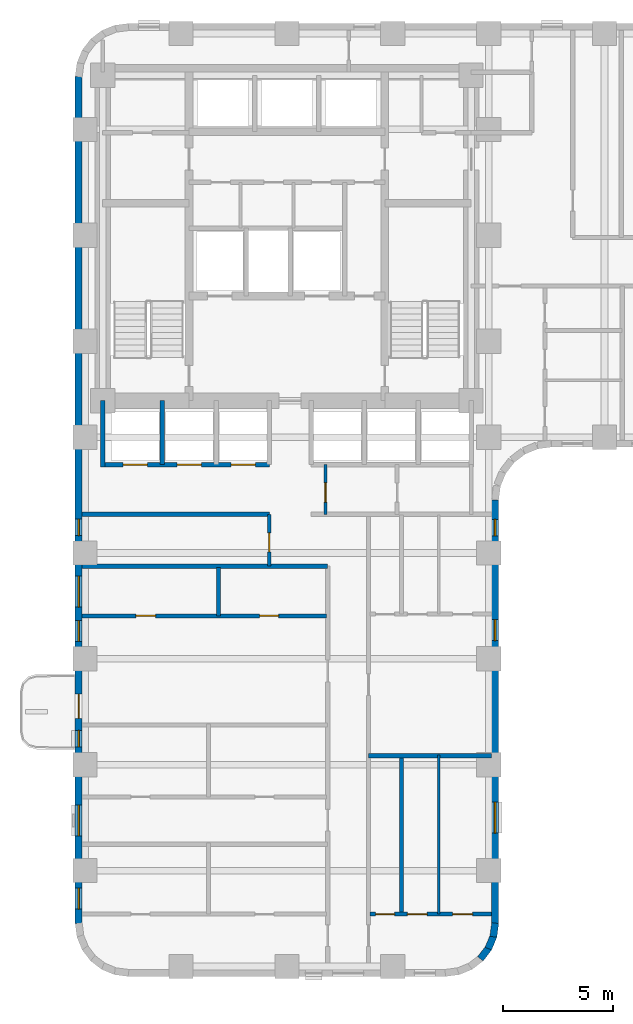
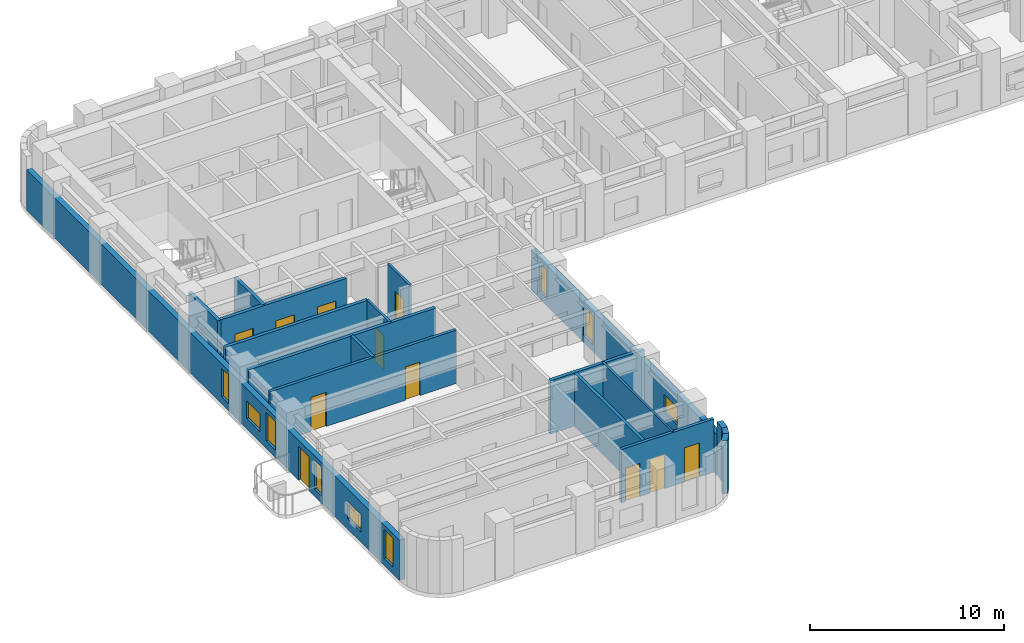
# One storey, part 3 of 11: 18 walls, 11 doors, 9 windows, 20 openings.
"""IFC4 building model written with IfcOpenShell, lengths in metres."""

from ifc_helpers import new_model, si_unit, direction, frame, frame_2d, origin, place, context, subcontext, project, spatial, rectangle, extrude, material, layer, layer_set, type_object, element, fill, save


model = new_model("IFC4")

# Units and contexts
model_context = context("Model", 3, precision=1e-05, world=origin(), true_north=direction((0.0, 1.0)))
body_context = subcontext(model_context, "Body", "Model", "MODEL_VIEW")
ifc_project = project(units=[si_unit("LENGTHUNIT", "METRE"), si_unit("AREAUNIT", "SQUARE_METRE"), si_unit("VOLUMEUNIT", "CUBIC_METRE"), si_unit("PLANEANGLEUNIT", "RADIAN"), si_unit("MASSUNIT", "GRAM", prefix="KILO")], contexts=[model_context])

# Site, building, storey
site_placement = place(None, origin())
site = spatial("IfcSite", under=ifc_project, at=site_placement, CompositionType="ELEMENT")
building_placement = place(site_placement, origin())
building = spatial("IfcBuilding", under=site, at=building_placement, Name="Orvandelia Arch Residences", CompositionType="ELEMENT")
storey_placement = place(building_placement, frame((0.0, 0.0, 53.800048828125)))
storey = spatial("IfcBuildingStorey", under=building, at=storey_placement, Name="L13", CompositionType="ELEMENT", Elevation=53.800048828125)

# Walls
ifc_material_1 = material(Name="Fire-Rated Corridor Partition")
ifc_layer_1 = layer(ifc_material_1, 0.199951171875, Name="Fire-Rated Corridor Partition")
ifc_layer_set_1 = layer_set([ifc_layer_1], Name="Fire-Rated Corridor Partition")
wall_type_1 = type_object("IfcWallType", Name="WL-CORR-200", PredefinedType="PARTITIONING", material=ifc_layer_set_1)
wall_1_placement = place(storey_placement, frame((5.1201171875, 23.39990234375, 0.0), z_axis=(0.0, 0.0, 1.0), x_axis=(1.0, 0.0, 0.0)))
element("IfcWall", 1, at=wall_1_placement, inside=storey, type_object=wall_type_1, Name="Interior Partition Wall WL-L13-WLNK-S", PredefinedType="PARTITIONING", context=body_context, shape_type="SweptSolid", body=[
    extrude(rectangle(XDim=11.1298828125, YDim=0.199951171875, at=frame_2d((5.56494140625, 0.0))), origin(), (0.0, 0.0, 1.0), 3.349853515625),
])
wall_2_placement = place(storey_placement, frame((5.1201171875, 25.75, 0.0), z_axis=(0.0, 0.0, 1.0), x_axis=(1.0, 0.0, 0.0)))
element("IfcWall", 2, at=wall_2_placement, inside=storey, type_object=wall_type_1, Name="Interior Partition Wall WL-L13-WLNK-NW2", PredefinedType="PARTITIONING", context=body_context, shape_type="SweptSolid", body=[
    extrude(rectangle(XDim=8.47998046875, YDim=0.199951171875, at=frame_2d((4.239990234375, 0.0))), origin(), (0.0, 0.0, 1.0), 3.349853515625),
])
ifc_material_2 = material(Name="Concrete C40/50", Category="concrete")
ifc_layer_2 = layer(ifc_material_2, 0.199951171875, Name="Concrete C40/50", Category="concrete")
ifc_layer_set_2 = layer_set([ifc_layer_2], Name="Concrete C40/50")
wall_type_2 = type_object("IfcWallType", Name="WL-DEM-200", PredefinedType="SOLIDWALL", material=ifc_layer_set_2)
wall_3_placement = place(storey_placement, frame((18.10009765625, 14.800048828125, 0.0), z_axis=(0.0, 0.0, 1.0), x_axis=(1.0, 0.0, 0.0)))
element("IfcWall", 3, at=wall_3_placement, inside=storey, type_object=wall_type_2, Name="Interior Partition Wall WL-L13-DEM-WR-148", PredefinedType="SOLIDWALL", context=body_context, shape_type="SweptSolid", body=[
    extrude(rectangle(XDim=5.579833984375, YDim=0.199951171875, at=frame_2d((2.7900390625, 0.0))), origin(), (0.0, 0.0, 1.0), 3.349853515625),
])

# Wall, openings, windows
ifc_material_3 = material(Name="Precast concrete C40/50", Category="concrete")
ifc_layer_3 = layer(ifc_material_3, 0.320068359375, Name="Precast concrete C40/50", Category="concrete")
ifc_layer_set_3 = layer_set([ifc_layer_3], Name="Precast concrete C40/50")
wall_type_3 = type_object("IfcWallType", Name="WL-EXT-STONE-320", PredefinedType="STANDARD", material=ifc_layer_set_3)
wall_4_placement = place(storey_placement, frame((23.840087890625, 26.39990234375, 0.0), z_axis=(0.0, 0.0, 1.0), x_axis=(0.0, -1.0, 0.0)))
wall_4 = element("IfcWall", 4, at=wall_4_placement, inside=storey, type_object=wall_type_3, Name="Coral-Limestone Precast Facade Wall L13-028", PredefinedType="STANDARD", context=body_context, shape_type="SweptSolid", body=[
    extrude(rectangle(XDim=19.199951171875, YDim=0.320068359375, at=frame_2d((9.60009765625, 0.0))), origin(), (0.0, 0.0, 1.0), 2.530029296875),
])
opening_1_placement = place(wall_4_placement, frame((13.699951171875, 0.0, 0.64990234375)))
opening_1 = element("IfcOpeningElement", 5, at=opening_1_placement, cuts=wall_4, Name="Opening W10", PredefinedType="OPENING", context=body_context, shape_type="SweptSolid", body=[
    extrude(rectangle(XDim=1.39990234375, YDim=1.10009765625, at=frame_2d((0.699951171875, 0.550048828125))), frame((0.0, 0.169921875, 0.0), z_axis=(0.0, -1.0, 0.0), x_axis=(1.0, 0.0, 0.0)), (0.0, 0.0, 1.0), 0.340087890625),
])
opening_2_placement = place(wall_4_placement, frame((0.8798828125, 0.0, 0.449951171875)))
opening_2 = element("IfcOpeningElement", 6, at=opening_2_placement, cuts=wall_4, Name="Opening W11", PredefinedType="OPENING", context=body_context, shape_type="SweptSolid", body=[
    extrude(rectangle(XDim=0.75, YDim=1.800048828125, at=frame_2d((0.375, 0.89990234375))), frame((0.0, 0.169921875, 0.0), z_axis=(0.0, -1.0, 0.0), x_axis=(1.0, 0.0, 0.0)), (0.0, 0.0, 1.0), 0.340087890625),
])
opening_3_placement = place(wall_4_placement, frame((5.427978515625, 0.0, 0.449951171875)))
opening_3 = element("IfcOpeningElement", 7, at=opening_3_placement, cuts=wall_4, Name="Opening W4", PredefinedType="OPENING", context=body_context, shape_type="SweptSolid", body=[
    extrude(rectangle(XDim=0.949951171875, YDim=1.800048828125, at=frame_2d((0.47509765625, 0.89990234375))), frame((0.0, 0.169921875, 0.0), z_axis=(0.0, -1.0, 0.0), x_axis=(1.0, 0.0, 0.0)), (0.0, 0.0, 1.0), 0.340087890625),
])
ifc_material_4 = material(Name="Tempered Low-E Insulated Glazing", Category="glass")
window_type_1 = type_object("IfcWindowType", Name="WIN-BED-0750x1800", PartitioningType="SINGLE_PANEL", PredefinedType="WINDOW", material=ifc_material_4)
window_1_placement = place(opening_2_placement, origin())
window_1 = element("IfcWindow", 8, at=window_1_placement, inside=storey, type_object=window_type_1, Name="Recessed Punched Window L13-022", OverallHeight=1.800048828125, OverallWidth=0.75, PartitioningType="SINGLE_PANEL", PredefinedType="WINDOW", context=body_context, shape_type="SweptSolid", body=[
    extrude(rectangle(XDim=0.75, YDim=1.800048828125, at=frame_2d((0.375, 0.89990234375))), frame((0.0, 0.030029296875, 0.0), z_axis=(0.0, -1.0, 0.0), x_axis=(1.0, 0.0, 0.0)), (0.0, 0.0, 1.0), 0.06005859375),
])
fill(opening_2, window_1)
window_type_2 = type_object("IfcWindowType", Name="WIN-CLR-1400x1100", PartitioningType="SINGLE_PANEL", PredefinedType="WINDOW", material=ifc_material_4)
window_2_placement = place(opening_1_placement, origin())
window_2 = element("IfcWindow", 9, at=window_2_placement, inside=storey, type_object=window_type_2, Name="Recessed Punched Window L13-021", OverallHeight=1.10009765625, OverallWidth=1.39990234375, PartitioningType="SINGLE_PANEL", PredefinedType="WINDOW", context=body_context, shape_type="SweptSolid", body=[
    extrude(rectangle(XDim=1.39990234375, YDim=1.10009765625, at=frame_2d((0.699951171875, 0.550048828125))), frame((0.0, 0.030029296875, 0.0), z_axis=(0.0, -1.0, 0.0), x_axis=(1.0, 0.0, 0.0)), (0.0, 0.0, 1.0), 0.06005859375),
])
fill(opening_1, window_2)
window_type_3 = type_object("IfcWindowType", Name="WIN-RES-0950x1800", PartitioningType="SINGLE_PANEL", PredefinedType="WINDOW", material=ifc_material_4)
window_3_placement = place(opening_3_placement, origin())
window_3 = element("IfcWindow", 10, at=window_3_placement, inside=storey, type_object=window_type_3, Name="Recessed Punched Window L13-023", OverallHeight=1.800048828125, OverallWidth=0.949951171875, PartitioningType="SINGLE_PANEL", PredefinedType="WINDOW", context=body_context, shape_type="SweptSolid", body=[
    extrude(rectangle(XDim=0.949951171875, YDim=1.800048828125, at=frame_2d((0.47509765625, 0.89990234375))), frame((0.0, 0.030029296875, 0.0), z_axis=(0.0, -1.0, 0.0), x_axis=(1.0, 0.0, 0.0)), (0.0, 0.0, 1.0), 0.06005859375),
])
fill(opening_3, window_3)

# Walls
wall_5_placement = place(storey_placement, frame((23.84130859375, 7.220947265625, 0.0), z_axis=(0.0, 0.0, 1.0), x_axis=(-0.130504898859, -0.991447664465, 0.0)))
element("IfcWall", 11, at=wall_5_placement, inside=storey, type_object=wall_type_3, Name="Coral-Limestone Precast Facade Wall L13-029", PredefinedType="STANDARD", context=body_context, shape_type="SweptSolid", body=[
    extrude(rectangle(XDim=0.626708984375, YDim=0.320068359375, at=frame_2d((0.3134765625, 0.0))), origin(), (0.0, 0.0, 1.0), 3.349853515625),
])
wall_6_placement = place(storey_placement, frame((23.7705078125, 6.639892578125, 0.0), z_axis=(0.0, 0.0, 1.0), x_axis=(-0.382787856107, -0.923836271867, 0.0)))
element("IfcWall", 12, at=wall_6_placement, inside=storey, type_object=wall_type_3, Name="Coral-Limestone Precast Facade Wall L13-030", PredefinedType="STANDARD", context=body_context, shape_type="SweptSolid", body=[
    extrude(rectangle(XDim=0.626220703125, YDim=0.320068359375, at=frame_2d((0.31298828125, 0.0))), origin(), (0.0, 0.0, 1.0), 3.349853515625),
])
wall_7_placement = place(storey_placement, frame((23.551513671875, 6.097412109375, 0.0), z_axis=(0.0, 0.0, 1.0), x_axis=(-0.608693302629, -0.793405610854, 0.0)))
element("IfcWall", 13, at=wall_7_placement, inside=storey, type_object=wall_type_3, Name="Coral-Limestone Precast Facade Wall L13-031", PredefinedType="STANDARD", context=body_context, shape_type="SweptSolid", body=[
    extrude(rectangle(XDim=0.62646484375, YDim=0.320068359375, at=frame_2d((0.313232421875, 0.0))), origin(), (0.0, 0.0, 1.0), 3.349853515625),
])

# Wall, openings, door, windows
wall_8_placement = place(storey_placement, frame((4.9599609375, 7.199951171875, 0.0), z_axis=(0.0, 0.0, 1.0), x_axis=(0.0, 1.0, 0.0)))
wall_8 = element("IfcWall", 14, at=wall_8_placement, inside=storey, type_object=wall_type_3, Name="Coral-Limestone Precast Facade Wall L13-042", PredefinedType="STANDARD", context=body_context, shape_type="SweptSolid", body=[
    extrude(rectangle(XDim=38.400146484375, YDim=0.320068359375, at=frame_2d((19.2001953125, 0.0))), origin(), (0.0, 0.0, 1.0), 2.530029296875),
])
opening_4_placement = place(wall_8_placement, frame((9.300048828125, 0.0, 0.0)))
opening_4 = element("IfcOpeningElement", 15, at=opening_4_placement, cuts=wall_8, Name="Opening BD1", PredefinedType="OPENING", context=body_context, shape_type="SweptSolid", body=[
    extrude(rectangle(XDim=1.10009765625, YDim=2.14990234375, at=frame_2d((0.550048828125, 1.074951171875))), frame((0.0, 0.169921875, 0.0), z_axis=(0.0, -1.0, 0.0), x_axis=(1.0, 0.0, 0.0)), (0.0, 0.0, 1.0), 0.340087890625),
])
opening_5_placement = place(wall_8_placement, frame((3.969970703125, 0.0, 0.64990234375)))
opening_5 = element("IfcOpeningElement", 16, at=opening_5_placement, cuts=wall_8, Name="Opening W10", PredefinedType="OPENING", context=body_context, shape_type="SweptSolid", body=[
    extrude(rectangle(XDim=1.39990234375, YDim=1.10009765625, at=frame_2d((0.699951171875, 0.550048828125))), frame((0.0, 0.169921875, 0.0), z_axis=(0.0, -1.0, 0.0), x_axis=(1.0, 0.0, 0.0)), (0.0, 0.0, 1.0), 0.340087890625),
])
opening_6_placement = place(wall_8_placement, frame((12.785400390625, 0.0, 0.449951171875)))
opening_6 = element("IfcOpeningElement", 17, at=opening_6_placement, cuts=wall_8, Name="Opening W4", PredefinedType="OPENING", context=body_context, shape_type="SweptSolid", body=[
    extrude(rectangle(XDim=0.949951171875, YDim=1.800048828125, at=frame_2d((0.47509765625, 0.89990234375))), frame((0.0, 0.169921875, 0.0), z_axis=(0.0, -1.0, 0.0), x_axis=(1.0, 0.0, 0.0)), (0.0, 0.0, 1.0), 0.340087890625),
])
opening_7_placement = place(wall_8_placement, frame((0.652099609375, 0.0, 0.449951171875)))
opening_7 = element("IfcOpeningElement", 18, at=opening_7_placement, cuts=wall_8, Name="Opening W4", PredefinedType="OPENING", context=body_context, shape_type="SweptSolid", body=[
    extrude(rectangle(XDim=0.949951171875, YDim=1.800048828125, at=frame_2d((0.47509765625, 0.89990234375))), frame((0.0, 0.169921875, 0.0), z_axis=(0.0, -1.0, 0.0), x_axis=(1.0, 0.0, 0.0)), (0.0, 0.0, 1.0), 0.340087890625),
])
opening_8_placement = place(wall_8_placement, frame((8.010009765625, 0.0, 0.449951171875)))
opening_8 = element("IfcOpeningElement", 19, at=opening_8_placement, cuts=wall_8, Name="Opening W11", PredefinedType="OPENING", context=body_context, shape_type="SweptSolid", body=[
    extrude(rectangle(XDim=0.75, YDim=1.800048828125, at=frame_2d((0.375, 0.89990234375))), frame((0.0, 0.169921875, 0.0), z_axis=(0.0, -1.0, 0.0), x_axis=(1.0, 0.0, 0.0)), (0.0, 0.0, 1.0), 0.340087890625),
])
opening_9_placement = place(wall_8_placement, frame((14.345458984375, 0.0, 0.64990234375)))
opening_9 = element("IfcOpeningElement", 20, at=opening_9_placement, cuts=wall_8, Name="Opening W10", PredefinedType="OPENING", context=body_context, shape_type="SweptSolid", body=[
    extrude(rectangle(XDim=1.39990234375, YDim=1.10009765625, at=frame_2d((0.699951171875, 0.550048828125))), frame((0.0, 0.169921875, 0.0), z_axis=(0.0, -1.0, 0.0), x_axis=(1.0, 0.0, 0.0)), (0.0, 0.0, 1.0), 0.340087890625),
])
opening_10_placement = place(wall_8_placement, frame((17.580078125, 0.0, 0.449951171875)))
opening_10 = element("IfcOpeningElement", 21, at=opening_10_placement, cuts=wall_8, Name="Opening W11", PredefinedType="OPENING", context=body_context, shape_type="SweptSolid", body=[
    extrude(rectangle(XDim=0.75, YDim=1.800048828125, at=frame_2d((0.375, 0.89990234375))), frame((0.0, 0.169921875, 0.0), z_axis=(0.0, -1.0, 0.0), x_axis=(1.0, 0.0, 0.0)), (0.0, 0.0, 1.0), 0.340087890625),
])
ifc_material_5 = material(Name="Thermally Broken Aluminium Glazed Door", Category="aluminium")
door_type_1 = type_object("IfcDoorType", Name="DR-BAL-GLAZ-1100", OperationType="NOTDEFINED", PredefinedType="DOOR", material=ifc_material_5)
door_1_placement = place(opening_4_placement, origin())
door_1 = element("IfcDoor", 22, at=door_1_placement, inside=storey, type_object=door_type_1, Name="Tree Balcony Glazed Door BAL-L13-W1", OperationType="SINGLE_SWING_RIGHT", OverallHeight=2.14990234375, OverallWidth=1.10009765625, PredefinedType="DOOR", context=body_context, shape_type="SweptSolid", body=[
    extrude(rectangle(XDim=1.10009765625, YDim=2.14990234375, at=frame_2d((0.550048828125, 1.074951171875))), frame((0.0, 0.02490234375, 0.0), z_axis=(0.0, -1.0, 0.0), x_axis=(1.0, 0.0, 0.0)), (0.0, 0.0, 1.0), 0.050048828125),
])
fill(opening_4, door_1)
window_4_placement = place(opening_8_placement, origin())
window_4 = element("IfcWindow", 23, at=window_4_placement, inside=storey, type_object=window_type_1, Name="Recessed Punched Window L13-030", OverallHeight=1.800048828125, OverallWidth=0.75, PartitioningType="SINGLE_PANEL", PredefinedType="WINDOW", context=body_context, shape_type="SweptSolid", body=[
    extrude(rectangle(XDim=0.75, YDim=1.800048828125, at=frame_2d((0.375, 0.89990234375))), frame((0.0, 0.030029296875, 0.0), z_axis=(0.0, -1.0, 0.0), x_axis=(1.0, 0.0, 0.0)), (0.0, 0.0, 1.0), 0.06005859375),
])
fill(opening_8, window_4)
window_5_placement = place(opening_10_placement, origin())
window_5 = element("IfcWindow", 24, at=window_5_placement, inside=storey, type_object=window_type_1, Name="Recessed Punched Window L13-032", OverallHeight=1.800048828125, OverallWidth=0.75, PartitioningType="SINGLE_PANEL", PredefinedType="WINDOW", context=body_context, shape_type="SweptSolid", body=[
    extrude(rectangle(XDim=0.75, YDim=1.800048828125, at=frame_2d((0.375, 0.89990234375))), frame((0.0, 0.030029296875, 0.0), z_axis=(0.0, -1.0, 0.0), x_axis=(1.0, 0.0, 0.0)), (0.0, 0.0, 1.0), 0.06005859375),
])
fill(opening_10, window_5)
window_6_placement = place(opening_5_placement, origin())
window_6 = element("IfcWindow", 25, at=window_6_placement, inside=storey, type_object=window_type_2, Name="Recessed Punched Window L13-027", OverallHeight=1.10009765625, OverallWidth=1.39990234375, PartitioningType="SINGLE_PANEL", PredefinedType="WINDOW", context=body_context, shape_type="SweptSolid", body=[
    extrude(rectangle(XDim=1.39990234375, YDim=1.10009765625, at=frame_2d((0.699951171875, 0.550048828125))), frame((0.0, 0.030029296875, 0.0), z_axis=(0.0, -1.0, 0.0), x_axis=(1.0, 0.0, 0.0)), (0.0, 0.0, 1.0), 0.06005859375),
])
fill(opening_5, window_6)
window_7_placement = place(opening_9_placement, origin())
window_7 = element("IfcWindow", 26, at=window_7_placement, inside=storey, type_object=window_type_2, Name="Recessed Punched Window L13-031", OverallHeight=1.10009765625, OverallWidth=1.39990234375, PartitioningType="SINGLE_PANEL", PredefinedType="WINDOW", context=body_context, shape_type="SweptSolid", body=[
    extrude(rectangle(XDim=1.39990234375, YDim=1.10009765625, at=frame_2d((0.699951171875, 0.550048828125))), frame((0.0, 0.030029296875, 0.0), z_axis=(0.0, -1.0, 0.0), x_axis=(1.0, 0.0, 0.0)), (0.0, 0.0, 1.0), 0.06005859375),
])
fill(opening_9, window_7)
window_8_placement = place(opening_6_placement, origin())
window_8 = element("IfcWindow", 27, at=window_8_placement, inside=storey, type_object=window_type_3, Name="Recessed Punched Window L13-028", OverallHeight=1.800048828125, OverallWidth=0.949951171875, PartitioningType="SINGLE_PANEL", PredefinedType="WINDOW", context=body_context, shape_type="SweptSolid", body=[
    extrude(rectangle(XDim=0.949951171875, YDim=1.800048828125, at=frame_2d((0.47509765625, 0.89990234375))), frame((0.0, 0.030029296875, 0.0), z_axis=(0.0, -1.0, 0.0), x_axis=(1.0, 0.0, 0.0)), (0.0, 0.0, 1.0), 0.06005859375),
])
fill(opening_6, window_8)
window_9_placement = place(opening_7_placement, origin())
window_9 = element("IfcWindow", 28, at=window_9_placement, inside=storey, type_object=window_type_3, Name="Recessed Punched Window L13-029", OverallHeight=1.800048828125, OverallWidth=0.949951171875, PartitioningType="SINGLE_PANEL", PredefinedType="WINDOW", context=body_context, shape_type="SweptSolid", body=[
    extrude(rectangle(XDim=0.949951171875, YDim=1.800048828125, at=frame_2d((0.47509765625, 0.89990234375))), frame((0.0, 0.030029296875, 0.0), z_axis=(0.0, -1.0, 0.0), x_axis=(1.0, 0.0, 0.0)), (0.0, 0.0, 1.0), 0.06005859375),
])
fill(opening_7, window_9)

# Wall
ifc_material_6 = material(Name="Lightweight Gypsum Stud Partition")
ifc_layer_4 = layer(ifc_material_6, 0.1201171875, Name="Lightweight Gypsum Stud Partition")
ifc_layer_set_4 = layer_set([ifc_layer_4], Name="Lightweight Gypsum Stud Partition")
wall_type_4 = type_object("IfcWallType", Name="WL-PART-120", PredefinedType="PARTITIONING", material=ifc_layer_set_4)
wall_9_placement = place(storey_placement, frame((21.284912109375, 7.6259765625, 0.0), z_axis=(0.0, 0.0, 1.0), x_axis=(0.0, 1.0, 0.0)))
element("IfcWall", 29, at=wall_9_placement, inside=storey, type_object=wall_type_4, Name="Interior Partition Wall WL-L13-U04-V2", PredefinedType="PARTITIONING", context=body_context, shape_type="SweptSolid", body=[
    extrude(rectangle(XDim=7.214111328125, YDim=0.1201171875, at=frame_2d((3.60693359375, 0.0))), origin(), (0.0, 0.0, 1.0), 3.349853515625),
])

# Wall, opening, door
ifc_material_7 = material(Name="Acoustic Gypsum Stud Partition")
ifc_layer_5 = layer(ifc_material_7, 0.14990234375, Name="Acoustic Gypsum Stud Partition")
ifc_layer_set_5 = layer_set([ifc_layer_5], Name="Acoustic Gypsum Stud Partition")
wall_type_5 = type_object("IfcWallType", Name="WL-PART-150", PredefinedType="PARTITIONING", material=ifc_layer_set_5)
wall_10_placement = place(storey_placement, frame((16.14990234375, 25.75, 0.0), z_axis=(0.0, 0.0, 1.0), x_axis=(0.0, 1.0, 0.0)))
wall_10 = element("IfcWall", 30, at=wall_10_placement, inside=storey, type_object=wall_type_5, Name="Interior Partition Wall WL-L13-HLS-EW", PredefinedType="PARTITIONING", context=body_context, shape_type="SweptSolid", body=[
    extrude(rectangle(XDim=2.25, YDim=0.14990234375, at=frame_2d((1.125, 0.0))), origin(), (0.0, 0.0, 1.0), 3.349853515625),
])
opening_11_placement = place(wall_10_placement, frame((0.550048828125, 0.0, 0.0)))
opening_11 = element("IfcOpeningElement", 31, at=opening_11_placement, cuts=wall_10, Name="Opening D5", PredefinedType="OPENING", context=body_context, shape_type="SweptSolid", body=[
    extrude(rectangle(XDim=0.8798828125, YDim=2.10009765625, at=frame_2d((0.43994140625, 1.050048828125))), frame((0.0, 0.0849609375, 0.0), z_axis=(0.0, -1.0, 0.0), x_axis=(1.0, 0.0, 0.0)), (0.0, 0.0, 1.0), 0.169921875),
])
ifc_material_8 = material(Name="Painted Galvanised Steel Service Door", Category="steel")
door_type_2 = type_object("IfcDoorType", Name="DR-SRV-880", OperationType="NOTDEFINED", PredefinedType="DOOR", material=ifc_material_8)
door_2_placement = place(opening_11_placement, origin())
door_2 = element("IfcDoor", 32, at=door_2_placement, inside=storey, type_object=door_type_2, Name="DR-L13-CSZ1A", OperationType="SINGLE_SWING_LEFT", OverallHeight=2.10009765625, OverallWidth=0.8798828125, PredefinedType="DOOR", context=body_context, shape_type="SweptSolid", body=[
    extrude(rectangle(XDim=0.8798828125, YDim=2.10009765625, at=frame_2d((0.43994140625, 1.050048828125))), frame((0.0, 0.02490234375, 0.0), z_axis=(0.0, -1.0, 0.0), x_axis=(1.0, 0.0, 0.0)), (0.0, 0.0, 1.0), 0.050048828125),
])
fill(opening_11, door_2)

wall_11_placement = place(storey_placement, frame((13.60009765625, 23.39990234375, 0.0), z_axis=(0.0, 0.0, 1.0), x_axis=(0.0, 1.0, 0.0)))
wall_11 = element("IfcWall", 33, at=wall_11_placement, inside=storey, type_object=wall_type_5, Name="Interior Partition Wall WL-L13-WLNK-W", PredefinedType="PARTITIONING", context=body_context, shape_type="SweptSolid", body=[
    extrude(rectangle(XDim=2.35009765625, YDim=0.14990234375, at=frame_2d((1.175048828125, 0.0))), origin(), (0.0, 0.0, 1.0), 3.349853515625),
])
opening_12_placement = place(wall_11_placement, frame((0.64990234375, 0.0, 0.0)))
opening_12 = element("IfcOpeningElement", 34, at=opening_12_placement, cuts=wall_11, Name="Opening D4", PredefinedType="OPENING", context=body_context, shape_type="SweptSolid", body=[
    extrude(rectangle(XDim=0.860107421875, YDim=2.10009765625, at=frame_2d((0.43017578125, 1.050048828125))), frame((0.0, 0.0849609375, 0.0), z_axis=(0.0, -1.0, 0.0), x_axis=(1.0, 0.0, 0.0)), (0.0, 0.0, 1.0), 0.169921875),
])
ifc_material_9 = material(Name="Moisture-Sealed Timber Bathroom Door", Category="wood")
door_type_3 = type_object("IfcDoorType", Name="DR-WET-900", OperationType="NOTDEFINED", PredefinedType="DOOR", material=ifc_material_9)
door_3_placement = place(opening_12_placement, origin())
door_3 = element("IfcDoor", 35, at=door_3_placement, inside=storey, type_object=door_type_3, Name="DR-L13-WLNKST", OperationType="SINGLE_SWING_LEFT", OverallHeight=2.10009765625, OverallWidth=0.860107421875, PredefinedType="DOOR", context=body_context, shape_type="SweptSolid", body=[
    extrude(rectangle(XDim=0.860107421875, YDim=2.10009765625, at=frame_2d((0.43017578125, 1.050048828125))), frame((0.0, 0.02490234375, 0.0), z_axis=(0.0, -1.0, 0.0), x_axis=(1.0, 0.0, 0.0)), (0.0, 0.0, 1.0), 0.050048828125),
])
fill(opening_12, door_3)

# Wall, openings, doors
ifc_material_10 = material(Name="Fire-Rated Shaft Enclosure Wall")
ifc_layer_6 = layer(ifc_material_10, 0.199951171875, Name="Fire-Rated Shaft Enclosure Wall")
ifc_layer_set_6 = layer_set([ifc_layer_6], Name="Fire-Rated Shaft Enclosure Wall")
wall_type_6 = type_object("IfcWallType", Name="WL-SHAFT-200", PredefinedType="POLYGONAL", material=ifc_layer_set_6)
wall_12_placement = place(storey_placement, frame((6.050048828125, 28.0, 0.0), z_axis=(0.0, 0.0, 1.0), x_axis=(1.0, 0.0, 0.0)))
wall_12 = element("IfcWall", 36, at=wall_12_placement, inside=storey, type_object=wall_type_6, Name="Interior Partition Wall WL-L13-BNKL-S", PredefinedType="POLYGONAL", context=body_context, shape_type="SweptSolid", body=[
    extrude(rectangle(XDim=7.550048828125, YDim=0.199951171875, at=frame_2d((3.77490234375, 0.0))), origin(), (0.0, 0.0, 1.0), 3.349853515625),
])
opening_13_placement = place(wall_12_placement, frame((0.925048828125, 0.0, 0.0)))
opening_13 = element("IfcOpeningElement", 37, at=opening_13_placement, cuts=wall_12, Name="Opening LD", PredefinedType="OPENING", context=body_context, shape_type="SweptSolid", body=[
    extrude(rectangle(XDim=1.10009765625, YDim=2.14990234375, at=frame_2d((0.550048828125, 1.074951171875))), frame((0.0, 0.10986328125, 0.0), z_axis=(0.0, -1.0, 0.0), x_axis=(1.0, 0.0, 0.0)), (0.0, 0.0, 1.0), 0.219970703125),
])
opening_14_placement = place(wall_12_placement, frame((3.375, 0.0, 0.0)))
opening_14 = element("IfcOpeningElement", 38, at=opening_14_placement, cuts=wall_12, Name="Opening LD", PredefinedType="OPENING", context=body_context, shape_type="SweptSolid", body=[
    extrude(rectangle(XDim=1.10009765625, YDim=2.14990234375, at=frame_2d((0.550048828125, 1.074951171875))), frame((0.0, 0.10986328125, 0.0), z_axis=(0.0, -1.0, 0.0), x_axis=(1.0, 0.0, 0.0)), (0.0, 0.0, 1.0), 0.219970703125),
])
opening_15_placement = place(wall_12_placement, frame((5.824951171875, 0.0, 0.0)))
opening_15 = element("IfcOpeningElement", 39, at=opening_15_placement, cuts=wall_12, Name="Opening LD", PredefinedType="OPENING", context=body_context, shape_type="SweptSolid", body=[
    extrude(rectangle(XDim=1.10009765625, YDim=2.14990234375, at=frame_2d((0.550048828125, 1.074951171875))), frame((0.0, 0.10986328125, 0.0), z_axis=(0.0, -1.0, 0.0), x_axis=(1.0, 0.0, 0.0)), (0.0, 0.0, 1.0), 0.219970703125),
])
ifc_material_11 = material(Name="Brushed Stainless Steel Sliding Lift Door", Category="steel")
door_type_4 = type_object("IfcDoorType", Name="DR-LIFT-1100", OperationType="NOTDEFINED", PredefinedType="DOOR", material=ifc_material_11)
door_4_placement = place(opening_13_placement, origin())
door_4 = element("IfcDoor", 40, at=door_4_placement, inside=storey, type_object=door_type_4, Name="Lift Landing Door LD-PL1", OperationType="SLIDING_TO_LEFT", OverallHeight=2.14990234375, OverallWidth=1.10009765625, PredefinedType="DOOR", context=body_context, shape_type="SweptSolid", body=[
    extrude(rectangle(XDim=1.10009765625, YDim=2.14990234375, at=frame_2d((0.550048828125, 1.074951171875))), frame((0.0, 0.02490234375, 0.0), z_axis=(0.0, -1.0, 0.0), x_axis=(1.0, 0.0, 0.0)), (0.0, 0.0, 1.0), 0.050048828125),
])
fill(opening_13, door_4)
door_5_placement = place(opening_14_placement, origin())
door_5 = element("IfcDoor", 41, at=door_5_placement, inside=storey, type_object=door_type_4, Name="Lift Landing Door LD-PL2", OperationType="SLIDING_TO_RIGHT", OverallHeight=2.14990234375, OverallWidth=1.10009765625, PredefinedType="DOOR", context=body_context, shape_type="SweptSolid", body=[
    extrude(rectangle(XDim=1.10009765625, YDim=2.14990234375, at=frame_2d((0.550048828125, 1.074951171875))), frame((0.0, 0.02490234375, 0.0), z_axis=(0.0, -1.0, 0.0), x_axis=(1.0, 0.0, 0.0)), (0.0, 0.0, 1.0), 0.050048828125),
])
fill(opening_14, door_5)
door_6_placement = place(opening_15_placement, origin())
door_6 = element("IfcDoor", 42, at=door_6_placement, inside=storey, type_object=door_type_4, Name="Lift Landing Door LD-PL3", OperationType="SLIDING_TO_LEFT", OverallHeight=2.14990234375, OverallWidth=1.10009765625, PredefinedType="DOOR", context=body_context, shape_type="SweptSolid", body=[
    extrude(rectangle(XDim=1.10009765625, YDim=2.14990234375, at=frame_2d((0.550048828125, 1.074951171875))), frame((0.0, 0.02490234375, 0.0), z_axis=(0.0, -1.0, 0.0), x_axis=(1.0, 0.0, 0.0)), (0.0, 0.0, 1.0), 0.050048828125),
])
fill(opening_15, door_6)

# Walls
wall_13_placement = place(storey_placement, frame((6.050048828125, 27.89990234375, 0.0), z_axis=(0.0, 0.0, 1.0), x_axis=(0.0, 1.0, 0.0)))
element("IfcWall", 43, at=wall_13_placement, inside=storey, type_object=wall_type_6, Name="Interior Partition Wall WL-L13-BNKL-W", PredefinedType="POLYGONAL", context=body_context, shape_type="SweptSolid", body=[
    extrude(rectangle(XDim=3.0, YDim=0.199951171875, at=frame_2d((1.5, 0.0))), origin(), (0.0, 0.0, 1.0), 3.349853515625),
])
wall_14_placement = place(storey_placement, frame((8.75, 28.0, 0.0), z_axis=(0.0, 0.0, 1.0), x_axis=(0.0, 1.0, 0.0)))
element("IfcWall", 44, at=wall_14_placement, inside=storey, type_object=wall_type_6, Name="Interior Partition Wall WL-L13-BNKD-875", PredefinedType="POLYGONAL", context=body_context, shape_type="SweptSolid", body=[
    extrude(rectangle(XDim=2.89990234375, YDim=0.199951171875, at=frame_2d((1.449951171875, 0.0))), origin(), (0.0, 0.0, 1.0), 3.349853515625),
])

# Wall, openings, doors
ifc_material_12 = material(Name="Moisture-Resistant Plumbing Wall")
ifc_layer_7 = layer(ifc_material_12, 0.179931640625, Name="Moisture-Resistant Plumbing Wall")
ifc_layer_set_7 = layer_set([ifc_layer_7], Name="Moisture-Resistant Plumbing Wall")
wall_type_7 = type_object("IfcWallType", Name="WL-WET-180", PredefinedType="PLUMBINGWALL", material=ifc_layer_set_7)
wall_15_placement = place(storey_placement, frame((5.1201171875, 21.15087890625, 0.0), z_axis=(0.0, 0.0, 1.0), x_axis=(1.0, 0.0, 0.0)))
wall_15 = element("IfcWall", 45, at=wall_15_placement, inside=storey, type_object=wall_type_7, Name="Interior Partition Wall WL-L13-U03-HZ", PredefinedType="PLUMBINGWALL", context=body_context, shape_type="SweptSolid", body=[
    extrude(rectangle(XDim=11.06982421875, YDim=0.179931640625, at=frame_2d((5.534912109375, 0.0))), origin(), (0.0, 0.0, 1.0), 3.349853515625),
])
opening_16_placement = place(wall_15_placement, frame((2.431396484375, 0.0, 0.0)))
opening_16 = element("IfcOpeningElement", 46, at=opening_16_placement, cuts=wall_15, Name="Opening D3", PredefinedType="OPENING", context=body_context, shape_type="SweptSolid", body=[
    extrude(rectangle(XDim=0.89990234375, YDim=2.14990234375, at=frame_2d((0.449951171875, 1.074951171875))), frame((0.0, 0.10009765625, 0.0), z_axis=(0.0, -1.0, 0.0), x_axis=(1.0, 0.0, 0.0)), (0.0, 0.0, 1.0), 0.199951171875),
])
opening_17_placement = place(wall_15_placement, frame((8.04638671875, 0.0, 0.0)))
opening_17 = element("IfcOpeningElement", 47, at=opening_17_placement, cuts=wall_15, Name="Opening D4", PredefinedType="OPENING", context=body_context, shape_type="SweptSolid", body=[
    extrude(rectangle(XDim=0.860107421875, YDim=2.10009765625, at=frame_2d((0.43017578125, 1.050048828125))), frame((0.0, 0.10009765625, 0.0), z_axis=(0.0, -1.0, 0.0), x_axis=(1.0, 0.0, 0.0)), (0.0, 0.0, 1.0), 0.199951171875),
])
ifc_material_13 = material(Name="Engineered Timber Flush Door", Category="wood")
door_type_5 = type_object("IfcDoorType", Name="DR-INT-900", OperationType="NOTDEFINED", PredefinedType="DOOR", material=ifc_material_13)
door_7_placement = place(opening_16_placement, origin())
door_7 = element("IfcDoor", 48, at=door_7_placement, inside=storey, type_object=door_type_5, Name="DR-L13-U03-KIT", OperationType="SINGLE_SWING_LEFT", OverallHeight=2.14990234375, OverallWidth=0.89990234375, PredefinedType="DOOR", context=body_context, shape_type="SweptSolid", body=[
    extrude(rectangle(XDim=0.89990234375, YDim=2.14990234375, at=frame_2d((0.449951171875, 1.074951171875))), frame((0.0, 0.02490234375, 0.0), z_axis=(0.0, -1.0, 0.0), x_axis=(1.0, 0.0, 0.0)), (0.0, 0.0, 1.0), 0.050048828125),
])
fill(opening_16, door_7)
door_8_placement = place(opening_17_placement, origin())
door_8 = element("IfcDoor", 49, at=door_8_placement, inside=storey, type_object=door_type_3, Name="DR-L13-U03-BTH", OperationType="SINGLE_SWING_RIGHT", OverallHeight=2.10009765625, OverallWidth=0.860107421875, PredefinedType="DOOR", context=body_context, shape_type="SweptSolid", body=[
    extrude(rectangle(XDim=0.860107421875, YDim=2.10009765625, at=frame_2d((0.43017578125, 1.050048828125))), frame((0.0, 0.02490234375, 0.0), z_axis=(0.0, -1.0, 0.0), x_axis=(1.0, 0.0, 0.0)), (0.0, 0.0, 1.0), 0.050048828125),
])
fill(opening_17, door_8)

# Wall
wall_16_placement = place(storey_placement, frame((11.29296875, 21.15087890625, 0.0), z_axis=(0.0, 0.0, 1.0), x_axis=(0.0, 1.0, 0.0)))
element("IfcWall", 50, at=wall_16_placement, inside=storey, type_object=wall_type_7, Name="Interior Partition Wall WL-L13-U03-V1", PredefinedType="PLUMBINGWALL", context=body_context, shape_type="SweptSolid", body=[
    extrude(rectangle(XDim=2.189208984375, YDim=0.179931640625, at=frame_2d((1.0947265625, 0.0))), origin(), (0.0, 0.0, 1.0), 3.349853515625),
])

# Wall, openings, doors
wall_17_placement = place(storey_placement, frame((18.159912109375, 7.6259765625, 0.0), z_axis=(0.0, 0.0, 1.0), x_axis=(1.0, 0.0, 0.0)))
wall_17 = element("IfcWall", 51, at=wall_17_placement, inside=storey, type_object=wall_type_7, Name="Interior Partition Wall WL-L13-U04-HZ", PredefinedType="PLUMBINGWALL", context=body_context, shape_type="SweptSolid", body=[
    extrude(rectangle(XDim=5.52001953125, YDim=0.179931640625, at=frame_2d((2.760009765625, 0.0))), origin(), (0.0, 0.0, 1.0), 3.349853515625),
])
opening_18_placement = place(wall_17_placement, frame((0.260009765625, 0.0, 0.0)))
opening_18 = element("IfcOpeningElement", 52, at=opening_18_placement, cuts=wall_17, Name="Opening D4", PredefinedType="OPENING", context=body_context, shape_type="SweptSolid", body=[
    extrude(rectangle(XDim=0.860107421875, YDim=2.10009765625, at=frame_2d((0.43017578125, 1.050048828125))), frame((0.0, 0.10009765625, 0.0), z_axis=(0.0, -1.0, 0.0), x_axis=(1.0, 0.0, 0.0)), (0.0, 0.0, 1.0), 0.199951171875),
])
opening_19_placement = place(wall_17_placement, frame((1.697998046875, 0.0, 0.0)))
opening_19 = element("IfcOpeningElement", 53, at=opening_19_placement, cuts=wall_17, Name="Opening D3", PredefinedType="OPENING", context=body_context, shape_type="SweptSolid", body=[
    extrude(rectangle(XDim=0.89990234375, YDim=2.14990234375, at=frame_2d((0.449951171875, 1.074951171875))), frame((0.0, 0.10009765625, 0.0), z_axis=(0.0, -1.0, 0.0), x_axis=(1.0, 0.0, 0.0)), (0.0, 0.0, 1.0), 0.199951171875),
])
opening_20_placement = place(wall_17_placement, frame((3.757080078125, 0.0, 0.0)))
opening_20 = element("IfcOpeningElement", 54, at=opening_20_placement, cuts=wall_17, Name="Opening D3", PredefinedType="OPENING", context=body_context, shape_type="SweptSolid", body=[
    extrude(rectangle(XDim=0.89990234375, YDim=2.14990234375, at=frame_2d((0.449951171875, 1.074951171875))), frame((0.0, 0.10009765625, 0.0), z_axis=(0.0, -1.0, 0.0), x_axis=(1.0, 0.0, 0.0)), (0.0, 0.0, 1.0), 0.199951171875),
])
door_9_placement = place(opening_19_placement, origin())
door_9 = element("IfcDoor", 55, at=door_9_placement, inside=storey, type_object=door_type_5, Name="DR-L13-U04-KIT", OperationType="SINGLE_SWING_RIGHT", OverallHeight=2.14990234375, OverallWidth=0.89990234375, PredefinedType="DOOR", context=body_context, shape_type="SweptSolid", body=[
    extrude(rectangle(XDim=0.89990234375, YDim=2.14990234375, at=frame_2d((0.449951171875, 1.074951171875))), frame((0.0, 0.02490234375, 0.0), z_axis=(0.0, -1.0, 0.0), x_axis=(1.0, 0.0, 0.0)), (0.0, 0.0, 1.0), 0.050048828125),
])
fill(opening_19, door_9)
door_10_placement = place(opening_20_placement, origin())
door_10 = element("IfcDoor", 56, at=door_10_placement, inside=storey, type_object=door_type_5, Name="DR-L13-U04-BD1", OperationType="SINGLE_SWING_LEFT", OverallHeight=2.14990234375, OverallWidth=0.89990234375, PredefinedType="DOOR", context=body_context, shape_type="SweptSolid", body=[
    extrude(rectangle(XDim=0.89990234375, YDim=2.14990234375, at=frame_2d((0.449951171875, 1.074951171875))), frame((0.0, 0.02490234375, 0.0), z_axis=(0.0, -1.0, 0.0), x_axis=(1.0, 0.0, 0.0)), (0.0, 0.0, 1.0), 0.050048828125),
])
fill(opening_20, door_10)
door_11_placement = place(opening_18_placement, origin())
door_11 = element("IfcDoor", 57, at=door_11_placement, inside=storey, type_object=door_type_3, Name="DR-L13-U04-BTH", OperationType="SINGLE_SWING_LEFT", OverallHeight=2.10009765625, OverallWidth=0.860107421875, PredefinedType="DOOR", context=body_context, shape_type="SweptSolid", body=[
    extrude(rectangle(XDim=0.860107421875, YDim=2.10009765625, at=frame_2d((0.43017578125, 1.050048828125))), frame((0.0, 0.02490234375, 0.0), z_axis=(0.0, -1.0, 0.0), x_axis=(1.0, 0.0, 0.0)), (0.0, 0.0, 1.0), 0.050048828125),
])
fill(opening_18, door_11)

# Wall
wall_18_placement = place(storey_placement, frame((19.597900390625, 7.6259765625, 0.0), z_axis=(0.0, 0.0, 1.0), x_axis=(0.0, 1.0, 0.0)))
element("IfcWall", 58, at=wall_18_placement, inside=storey, type_object=wall_type_7, Name="Interior Partition Wall WL-L13-U04-V1", PredefinedType="PLUMBINGWALL", context=body_context, shape_type="SweptSolid", body=[
    extrude(rectangle(XDim=7.214111328125, YDim=0.179931640625, at=frame_2d((3.60693359375, 0.0))), origin(), (0.0, 0.0, 1.0), 3.349853515625),
])

save(model, "model.ifc")
